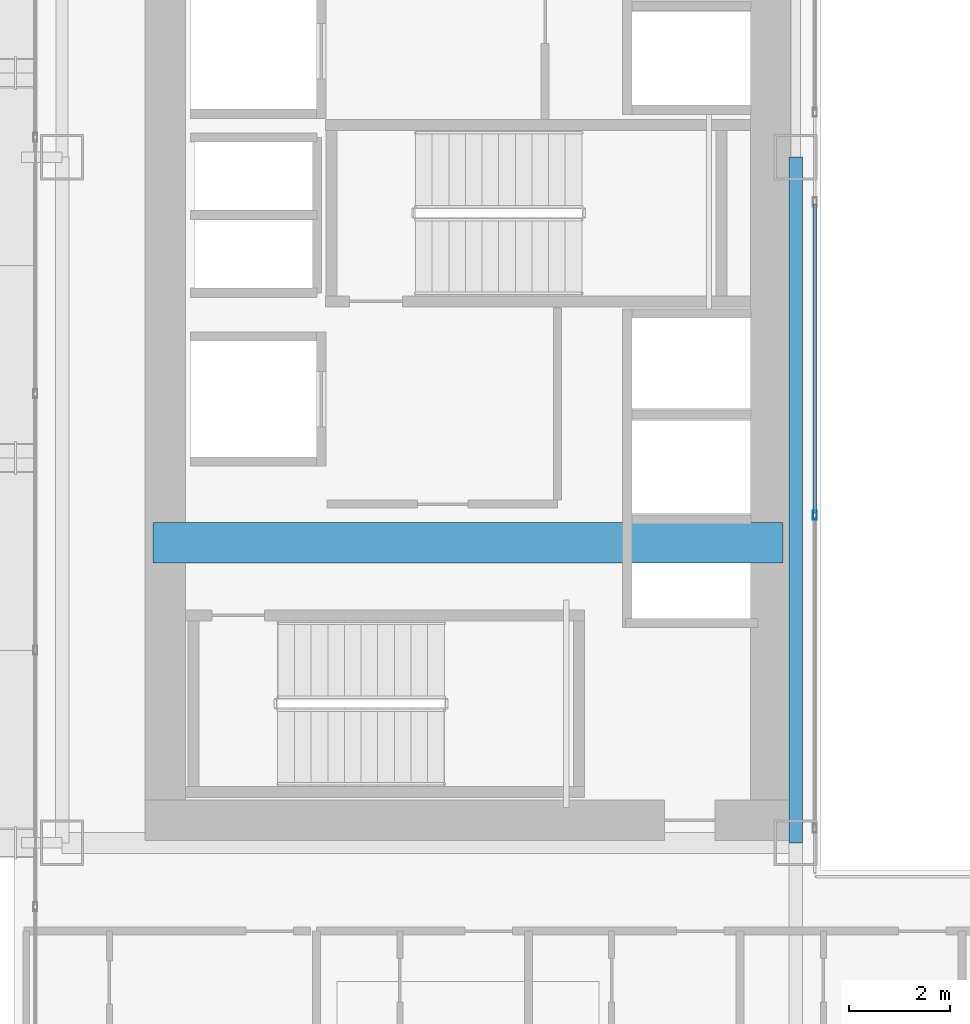
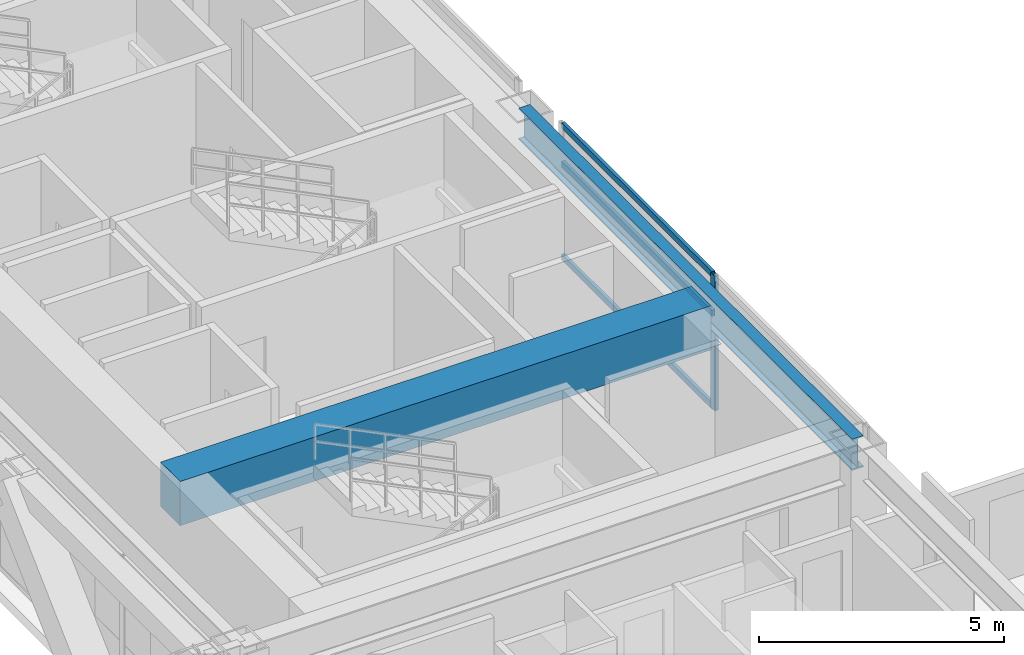
# One storey, part 8 of 41: 4 members, 2 beams, 1 element without a shape of its own.
"""IFC4 building model written with IfcOpenShell, lengths in metres."""

import ifcopenshell
import ifcopenshell.guid

model = None  # the IFC model being written
_history = None  # IfcOwnerHistory: only IFC2X3 demands one
_inside = {}  # id of a spatial element -> (the spatial element, [elements in it])
_under = {}  # id of a project, library or spatial element -> (it, [spatial elements below it])
_declared = {}  # id of a project -> (the project, [libraries it declares])
_typed = {}  # id of a type object -> (the type object, [elements of that type])
_made_of = {}  # id of a material, layer set ... -> (it, [elements and type objects made of it])


def new_model(schema):
    """Start an empty IFC model of exactly this schema.

    Asked for "IFC4X3", IfcOpenShell would pick the latest addendum, in which some entities
    have other attributes; the version numbers below select the first issue.
    IFC2X3 requires an IfcOwnerHistory on every rooted entity: one is made here for all.
    """
    global model, _history
    if schema == "IFC4X3":
        model = ifcopenshell.file(schema_version=(4, 3, 0, 0))
    else:
        model = ifcopenshell.file(schema=schema)
    _inside.clear()
    _under.clear()
    _declared.clear()
    _typed.clear()
    _made_of.clear()
    _history = None
    if model.schema == "IFC2X3":
        org = make("IfcOrganization", Name="unknown")
        user = make(
            "IfcPersonAndOrganization",
            ThePerson=make("IfcPerson", FamilyName="unknown"),
            TheOrganization=org,
        )
        app = make(
            "IfcApplication",
            ApplicationDeveloper=org,
            Version="unknown",
            ApplicationFullName="unknown",
            ApplicationIdentifier="unknown",
        )
        _history = make(
            "IfcOwnerHistory",
            OwningUser=user,
            OwningApplication=app,
            ChangeAction="ADDED",
            CreationDate=0,
        )
    return model


def make(cls, **values):
    """One entity of the class cls with the attributes given. An attribute that is None is left unset."""
    return model.create_entity(
        cls, **{name: value for name, value in values.items() if value is not None}
    )


def rooted(cls, **values):
    """An entity with a GlobalId (a new one), such as an element, a storey or a relation."""
    return make(cls, GlobalId=ifcopenshell.guid.new(), OwnerHistory=_history, **values)


def si_unit(unit_type, name, prefix=None):
    """IfcSIUnit, for example si_unit("LENGTHUNIT", "METRE", prefix="MILLI")."""
    return make("IfcSIUnit", UnitType=unit_type, Prefix=prefix, Name=name)


def assignment(units):
    """IfcUnitAssignment: the units of a project."""
    return None if units is None else make("IfcUnitAssignment", Units=units)


def point(xyz):
    """IfcCartesianPoint."""
    return None if xyz is None else make("IfcCartesianPoint", Coordinates=xyz)


def direction(xyz):
    """IfcDirection."""
    return None if xyz is None else make("IfcDirection", DirectionRatios=xyz)


def frame(location, z_axis=None, x_axis=None):
    """IfcAxis2Placement3D, a coordinate frame: its origin and axes. An axis left out is left unset."""
    return make(
        "IfcAxis2Placement3D",
        Location=point(location),
        Axis=direction(z_axis),
        RefDirection=direction(x_axis),
    )


def frame_2d(location, x_axis=None):
    """IfcAxis2Placement2D, a coordinate frame in the plane: its origin and x axis."""
    return make(
        "IfcAxis2Placement2D", Location=point(location), RefDirection=direction(x_axis)
    )


def origin():
    """The frame at (0, 0, 0) with its axes left unset."""
    return frame((0.0, 0.0, 0.0))


def origin_2d():
    """The frame at (0, 0) in the plane with its x axis left unset."""
    return frame_2d((0.0, 0.0))


def place(relative_to, where):
    """IfcLocalPlacement: puts the frame where relative to a parent placement (None: the world)."""
    return make(
        "IfcLocalPlacement", PlacementRelTo=relative_to, RelativePlacement=where
    )


def context(
    kind, dimensions, precision=None, world=None, true_north=None, identifier=None
):
    """IfcGeometricRepresentationContext, for example the 3D "Model" context."""
    return make(
        "IfcGeometricRepresentationContext",
        ContextIdentifier=identifier,
        ContextType=kind,
        CoordinateSpaceDimension=dimensions,
        Precision=precision,
        WorldCoordinateSystem=world,
        TrueNorth=true_north,
    )


def subcontext(parent, identifier, kind, view, scale=None):
    """IfcGeometricRepresentationSubContext, for example "Body" below "Model"."""
    return make(
        "IfcGeometricRepresentationSubContext",
        ContextIdentifier=identifier,
        ContextType=kind,
        ParentContext=parent,
        TargetScale=scale,
        TargetView=view,
    )


def project(units=None, contexts=None):
    """IfcProject with its units and contexts."""
    return rooted(
        "IfcProject",
        Name="project",
        RepresentationContexts=contexts,
        UnitsInContext=assignment(units),
    )


def spatial(cls, under=None, at=None, **own):
    """A site, building, storey or space (cls), placed at a placement, below another one or the project."""
    s = rooted(cls, ObjectPlacement=at, **own)
    if under is not None:
        _under.setdefault(under.id(), (under, []))[1].append(s)
    return s


def profile(cls, at=None, kind="AREA", **sizes):
    """A parametric profile (cls). Its sizes go by their IFC names, for example OverallWidth=200.0."""
    return make(cls, ProfileType=kind, Position=at, **sizes)


def rectangle(**sizes):
    """IfcRectangleProfileDef."""
    return profile("IfcRectangleProfileDef", **sizes)


def hollow_rectangle(**sizes):
    """IfcRectangleHollowProfileDef."""
    return profile("IfcRectangleHollowProfileDef", **sizes)


def i_section(**sizes):
    """IfcIShapeProfileDef."""
    return profile("IfcIShapeProfileDef", **sizes)


def extrude(swept, where, along, depth):
    """IfcExtrudedAreaSolid: the profile swept, set in the frame where, extruded along a direction by depth."""
    return make(
        "IfcExtrudedAreaSolid",
        SweptArea=swept,
        Position=where,
        ExtrudedDirection=direction(along),
        Depth=depth,
    )


def shape(context_of_items, identifier, shape_type, items):
    """IfcShapeRepresentation: the items that make up one representation, for example the "Body"."""
    return make(
        "IfcShapeRepresentation",
        ContextOfItems=context_of_items,
        RepresentationIdentifier=identifier,
        RepresentationType=shape_type,
        Items=items,
    )


def source(mapping_origin, context_of_items, identifier, shape_type, items):
    """IfcRepresentationMap: a shape defined once, which mapped items show again and again."""
    return make(
        "IfcRepresentationMap",
        MappingOrigin=mapping_origin,
        MappedRepresentation=shape(context_of_items, identifier, shape_type, items),
    )


def transform(
    local_origin,
    x_axis=None,
    y_axis=None,
    z_axis=None,
    scale=None,
    scale2=None,
    scale3=None,
    uniform=True,
):
    """IfcCartesianTransformationOperator3D, or its non-uniform kind. x_axis, y_axis, z_axis: its Axis1, 2, 3."""
    if uniform:
        return make(
            "IfcCartesianTransformationOperator3D",
            Axis1=direction(x_axis),
            Axis2=direction(y_axis),
            LocalOrigin=point(local_origin),
            Scale=scale,
            Axis3=direction(z_axis),
        )
    return make(
        "IfcCartesianTransformationOperator3DnonUniform",
        Axis1=direction(x_axis),
        Axis2=direction(y_axis),
        LocalOrigin=point(local_origin),
        Scale=scale,
        Axis3=direction(z_axis),
        Scale2=scale2,
        Scale3=scale3,
    )


def mapped(mapping_source, mapping_target):
    """IfcMappedItem: shows the shape of a source again, moved by a transform."""
    return make(
        "IfcMappedItem", MappingSource=mapping_source, MappingTarget=mapping_target
    )


def material(Name=None, Category=None):
    """IfcMaterial."""
    return make("IfcMaterial", Name=Name, Category=Category)


def layer(
    of_material, thickness, ventilated=None, Name=None, Category=None, Priority=None
):
    """IfcMaterialLayer: one layer of a wall or slab, of a material (None: an air gap)."""
    return make(
        "IfcMaterialLayer",
        Material=of_material,
        LayerThickness=thickness,
        IsVentilated=ventilated,
        Name=Name,
        Category=Category,
        Priority=Priority,
    )


def layer_set(layers, Name=None):
    """IfcMaterialLayerSet."""
    return make("IfcMaterialLayerSet", MaterialLayers=layers, LayerSetName=Name)


def material_profile(
    of_material, cross_section, Name=None, Category=None, Priority=None
):
    """IfcMaterialProfile: a cross section and its material."""
    return make(
        "IfcMaterialProfile",
        Name=Name,
        Material=of_material,
        Profile=cross_section,
        Priority=Priority,
        Category=Category,
    )


def profile_set(profiles, Name=None, composite=None):
    """IfcMaterialProfileSet."""
    return make(
        "IfcMaterialProfileSet",
        Name=Name,
        MaterialProfiles=profiles,
        CompositeProfile=composite,
    )


def made_of(thing, what):
    """Note that an element or type object is made of a material, layer set ...; save() writes the relation."""
    if what is not None:
        _made_of.setdefault(what.id(), (what, []))[1].append(thing)
    return thing


def type_object(cls, material=None, **own):
    """A type object (cls), such as IfcWallType, which elements share."""
    return made_of(rooted(cls, **own), material)


def element(
    cls,
    number,
    at=None,
    inside=None,
    cuts=None,
    type_object=None,
    material=None,
    context=None,
    identifier="Body",
    shape_type=None,
    held_by="IfcProductDefinitionShape",
    body=None,
    shapes=None,
    **own,
):
    """One element of the class cls, such as IfcWall. Its Tag is "e" and its number.

    at: its placement. inside: the storey or other place that contains it. cuts: it is an
    opening in that element (IfcRelVoidsElement). A single representation is given by context,
    identifier, shape_type and body (its items); several are given by shapes. held_by: the class
    of the entity that holds the representations. save() writes the other relations.
    """
    e = rooted(cls, Tag="e%d" % number, ObjectPlacement=at, **own)
    if body is not None:
        shapes = [shape(context, identifier, shape_type, body)]
    if shapes is not None:
        e.Representation = make(held_by, Representations=shapes)
    if inside is not None:
        _inside.setdefault(inside.id(), (inside, []))[1].append(e)
    if cuts is not None:
        rooted(
            "IfcRelVoidsElement", RelatingBuildingElement=cuts, RelatedOpeningElement=e
        )
    if type_object is not None:
        _typed.setdefault(type_object.id(), (type_object, []))[1].append(e)
    return made_of(e, material)


def aggregate(whole, parts):
    """IfcRelAggregates: a whole, such as a stair, and the parts it consists of."""
    return rooted("IfcRelAggregates", RelatingObject=whole, RelatedObjects=parts)


def save(model, path):
    """Write the relations noted so far, then the file.

    IfcRelAggregates (storeys below a building ...), IfcRelContainedInSpatialStructure (elements
    in a storey), IfcRelDefinesByType, IfcRelAssociatesMaterial and IfcRelDeclares: one each for
    every whole, place, type object, material and project.
    """
    for whole, parts in _under.values():
        aggregate(whole, parts)
    for where, things in _inside.values():
        rooted(
            "IfcRelContainedInSpatialStructure",
            RelatedElements=things,
            RelatingStructure=where,
        )
    for kind, things in _typed.values():
        rooted("IfcRelDefinesByType", RelatedObjects=things, RelatingType=kind)
    for what, things in _made_of.values():
        rooted("IfcRelAssociatesMaterial", RelatedObjects=things, RelatingMaterial=what)
    for by, libraries in _declared.values():
        rooted("IfcRelDeclares", RelatingContext=by, RelatedDefinitions=libraries)
    model.write(path)


model = new_model("IFC4")

# Units and contexts
model_context = context("Model", 3, precision=1e-05, world=origin(), true_north=direction((0.0, 1.0)))
body_context = subcontext(model_context, "Body", "Model", "MODEL_VIEW")
ifc_project = project(units=[si_unit("LENGTHUNIT", "METRE"), si_unit("AREAUNIT", "SQUARE_METRE"), si_unit("VOLUMEUNIT", "CUBIC_METRE"), si_unit("PLANEANGLEUNIT", "RADIAN"), si_unit("MASSUNIT", "GRAM", prefix="KILO")], contexts=[model_context])

# Site, building, storey
site_placement = place(None, origin())
site = spatial("IfcSite", under=ifc_project, at=site_placement, CompositionType="ELEMENT")
building_placement = place(site_placement, origin())
building = spatial("IfcBuilding", under=site, at=building_placement, Name="Ocotamira Hotel", CompositionType="ELEMENT")
storey_placement = place(building_placement, frame((0.0, 0.0, 38.39990234375)))
storey = spatial("IfcBuildingStorey", under=building, at=storey_placement, Name="L08", CompositionType="ELEMENT", Elevation=38.39990234375)

# Beams
ifc_material_1 = material(Name="Concrete C60/75", Category="concrete")
ifc_material_profile_1 = material_profile(ifc_material_1, rectangle(XDim=0.800048828125, YDim=1.10009765625, at=origin_2d()), Name="RC800X1100")
ifc_profile_set_1 = profile_set([ifc_material_profile_1], Name="Concrete C60/75")
beam_type_1 = type_object("IfcBeamType", Name="BM-LINK-RC800", PredefinedType="LINTEL", material=ifc_profile_set_1)
shared_shape_1 = source(origin(), body_context, "Body", "SweptSolid", [
    extrude(rectangle(XDim=0.800048828125, YDim=1.10009765625, at=origin_2d()), origin(), (0.0, 0.0, 1.0), 12.5),
])
beam_1_placement = place(storey_placement, frame((10.75, 20.5, 2.800048828125), z_axis=(1.0, 0.0, 0.0), x_axis=(0.0, 1.0, 0.0)))
element("IfcBeam", 1, at=beam_1_placement, inside=storey, type_object=beam_type_1, Name="L08 West Core Coupling Beam", PredefinedType="LINTEL", context=body_context, shape_type="MappedRepresentation", body=[
    mapped(shared_shape_1, transform((0.0, 0.0, 0.0), scale=1.0)),
])
ifc_material_2 = material(Name="Steel ASTM A992 Grade 50", Category="steel")
ifc_material_profile_2 = material_profile(ifc_material_2, i_section(OverallWidth=0.26611328125, OverallDepth=0.779052734375, WebThickness=0.0166015625, FlangeThickness=0.030029296875, FilletRadius=0.01806640625, at=origin_2d()), Name="W30X148")
ifc_profile_set_2 = profile_set([ifc_material_profile_2], Name="Steel ASTM A992 Grade 50")
beam_type_2 = type_object("IfcBeamType", Name="BM-GIRD-W30X148", PredefinedType="BEAM", material=ifc_profile_set_2)
shared_shape_2 = source(origin(), body_context, "Body", "SweptSolid", [
    extrude(i_section(OverallWidth=0.26611328125, OverallDepth=0.779052734375, WebThickness=0.0166015625, FlangeThickness=0.030029296875, FilletRadius=0.01806640625, at=origin_2d()), origin(), (0.0, 0.0, 1.0), 13.599853515625),
])
beam_2_placement = place(storey_placement, frame((23.5, 14.550048828125, 2.960693359375), z_axis=(0.0, 1.0, 0.0), x_axis=(-1.0, 0.0, 0.0)))
element("IfcBeam", 2, at=beam_2_placement, inside=storey, type_object=beam_type_2, Name="L08 Beam X23.5 Y14.55-28.15", PredefinedType="BEAM", context=body_context, shape_type="MappedRepresentation", body=[
    mapped(shared_shape_2, transform((0.0, 0.0, 0.0), scale=1.0)),
])

# Curtain wall, members
ifc_material_3 = material(Name="Anodised pale-metal aluminium and solar glass", Category="aluminium")
ifc_layer = layer(ifc_material_3, 0.159912109375)
ifc_layer_set = layer_set([ifc_layer], Name="Anodised pale-metal aluminium and solar glass")
curtain_wall_type = type_object("IfcCurtainWallType", Name="CW-SYS6-ATR", PredefinedType="NOTDEFINED", material=ifc_layer_set)
curtain_wall_placement = place(storey_placement, origin())
curtain_wall = element("IfcCurtainWall", 3, at=curtain_wall_placement, inside=storey, type_object=curtain_wall_type, Name="L08 Curtain Wall CW-6 CW-L08-ATRW1", PredefinedType="NOTDEFINED")
ifc_material_4 = material(Name="Anodised pale-metal aluminium 6063-T6", Category="aluminium")
ifc_material_profile_3 = material_profile(ifc_material_4, hollow_rectangle(XDim=0.080078125, YDim=0.179931640625, WallThickness=0.006103515625, at=origin_2d()), Name="HSS180X80X6")
ifc_profile_set_3 = profile_set([ifc_material_profile_3], Name="Anodised pale-metal aluminium 6063-T6")
member_type_1 = type_object("IfcMemberType", Name="CWM-180X75", PredefinedType="MULLION", material=ifc_profile_set_3)
shared_shape_3 = source(origin(), body_context, "Body", "SweptSolid", [
    extrude(hollow_rectangle(XDim=0.080078125, YDim=0.179931640625, WallThickness=0.006103515625, at=origin_2d()), origin(), (0.0, 0.0, 1.0), 3.35009765625),
])
member_1_placement = place(storey_placement, frame((23.8798828125, 21.050048828125, 0.0), z_axis=(0.0, 0.0, 1.0), x_axis=(-1.0, 0.0, 0.0)))
member_1 = element("IfcMember", 4, at=member_1_placement, type_object=member_type_1, Name="CW-6 mullion 2", PredefinedType="MULLION", context=body_context, shape_type="MappedRepresentation", body=[
    mapped(shared_shape_3, transform((0.0, 0.0, 0.0), scale=1.0)),
])
ifc_material_profile_4 = material_profile(ifc_material_4, hollow_rectangle(XDim=0.074951171875, YDim=0.14990234375, WallThickness=0.006103515625, at=origin_2d()), Name="HSS150X75X6")
ifc_profile_set_4 = profile_set([ifc_material_profile_4], Name="Anodised pale-metal aluminium 6063-T6")
member_type_2 = type_object("IfcMemberType", Name="CWT-150X75", PredefinedType="USERDEFINED", material=ifc_profile_set_4)
shared_shape_4 = source(origin(), body_context, "Body", "SweptSolid", [
    extrude(hollow_rectangle(XDim=0.074951171875, YDim=0.14990234375, WallThickness=0.006103515625, at=origin_2d()), origin(), (0.0, 0.0, 1.0), 6.1298828125),
])
member_2_placement = place(storey_placement, frame((23.8798828125, 21.090087890625, 0.03759765625), z_axis=(0.0, 1.0, 0.0), x_axis=(-1.0, 0.0, 0.0)))
member_2 = element("IfcMember", 5, at=member_2_placement, type_object=member_type_2, Name="CW-6 transom 2.1", ObjectType="TRANSOM", PredefinedType="USERDEFINED", context=body_context, shape_type="MappedRepresentation", body=[
    mapped(shared_shape_4, transform((0.0, 0.0, 0.0), scale=1.0)),
])
member_3_placement = place(storey_placement, frame((23.8798828125, 21.090087890625, 2.35009765625), z_axis=(0.0, 1.0, 0.0), x_axis=(-1.0, 0.0, 0.0)))
member_3 = element("IfcMember", 6, at=member_3_placement, type_object=member_type_2, Name="CW-6 transom 2.2", ObjectType="TRANSOM", PredefinedType="USERDEFINED", context=body_context, shape_type="MappedRepresentation", body=[
    mapped(shared_shape_4, transform((0.0, 0.0, 0.0), scale=1.0)),
])
member_4_placement = place(storey_placement, frame((23.8798828125, 21.090087890625, 3.3125), z_axis=(0.0, 1.0, 0.0), x_axis=(-1.0, 0.0, 0.0)))
member_4 = element("IfcMember", 7, at=member_4_placement, type_object=member_type_2, Name="CW-6 transom 2.3", ObjectType="TRANSOM", PredefinedType="USERDEFINED", context=body_context, shape_type="MappedRepresentation", body=[
    mapped(shared_shape_4, transform((0.0, 0.0, 0.0), scale=1.0)),
])
aggregate(curtain_wall, [member_1, member_2, member_3, member_4])

save(model, "model.ifc")
